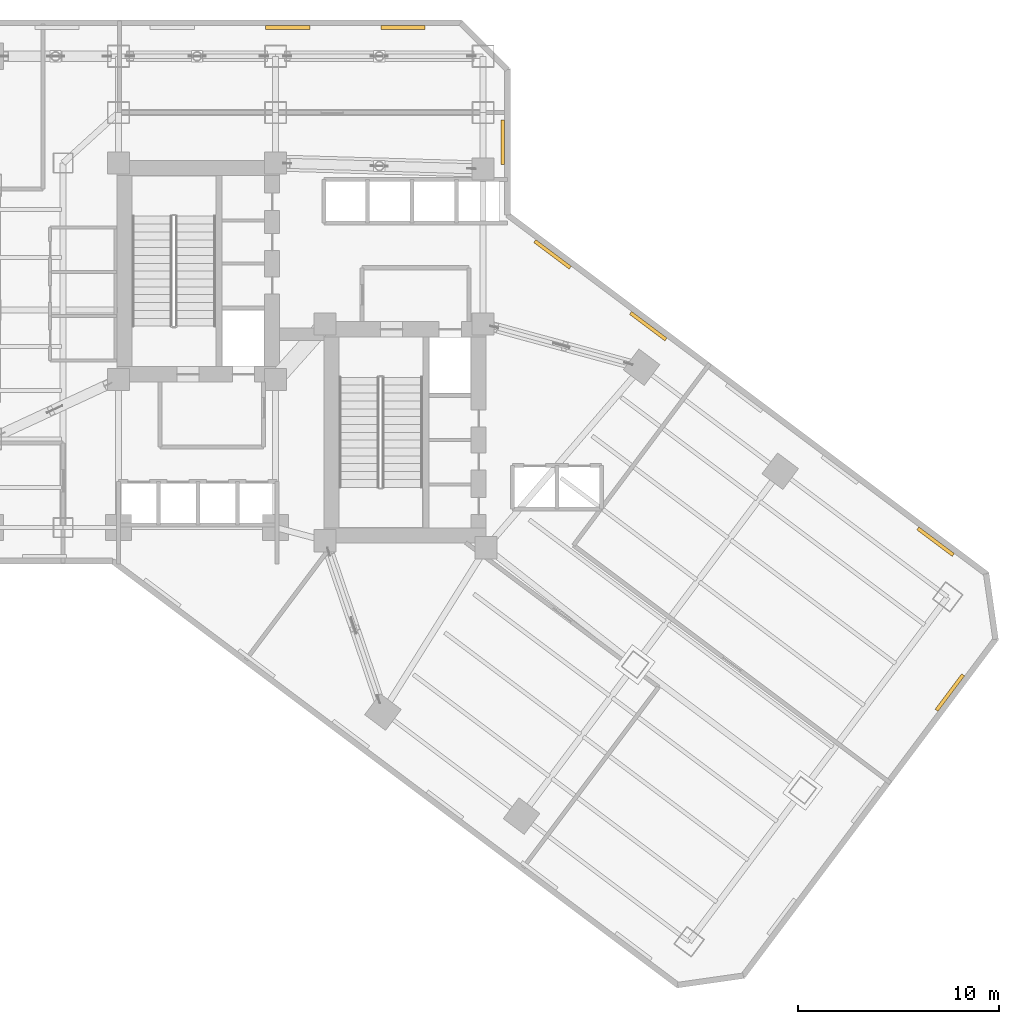
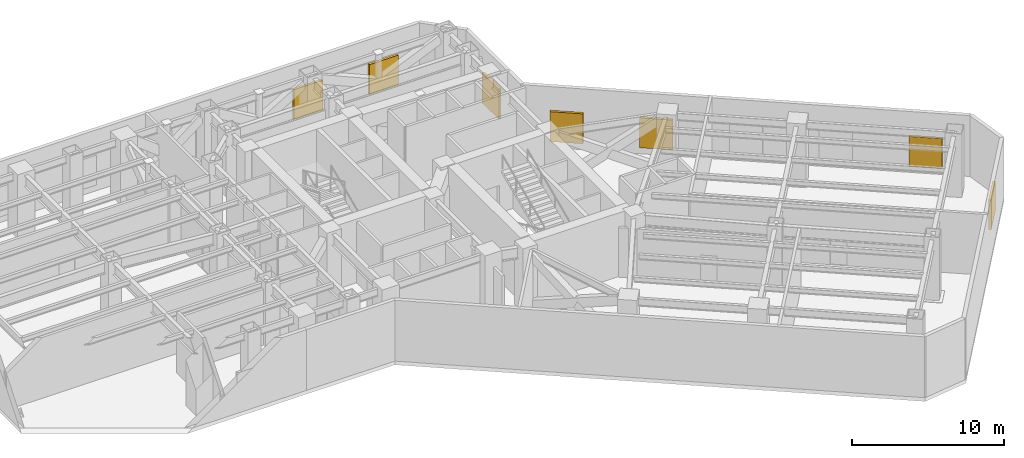
# One storey, part 16 of 16: 7 shading devices.
"""IFC4 building model written with IfcOpenShell, lengths in metres."""

from ifc_helpers import new_model, si_unit, direction, frame, origin, origin_2d, place, context, subcontext, project, spatial, rectangle, extrude, material, layer, layer_set, type_object, element, save


model = new_model("IFC4")

# Units and contexts
model_context = context("Model", 3, precision=1e-05, world=origin(), true_north=direction((0.0, 1.0)))
body_context = subcontext(model_context, "Body", "Model", "MODEL_VIEW")
ifc_project = project(units=[si_unit("LENGTHUNIT", "METRE"), si_unit("AREAUNIT", "SQUARE_METRE"), si_unit("VOLUMEUNIT", "CUBIC_METRE"), si_unit("PLANEANGLEUNIT", "RADIAN"), si_unit("MASSUNIT", "GRAM", prefix="KILO")], contexts=[model_context])

# Site, building, storey
site_placement = place(None, origin())
site = spatial("IfcSite", under=ifc_project, at=site_placement, CompositionType="ELEMENT")
building_placement = place(site_placement, origin())
building = spatial("IfcBuilding", under=site, at=building_placement, Name="Hatsunagi Terrace Concourse", CompositionType="ELEMENT")
storey_placement = place(building_placement, frame((0.0, 0.0, 27.0)))
storey = spatial("IfcBuildingStorey", under=building, at=storey_placement, Name="L06", CompositionType="ELEMENT", Elevation=27.0)

# Shading devices
ifc_material = material(Name="Powder-Coated Aluminium Acoustic Louvre", Category="aluminium")
ifc_layer = layer(ifc_material, 0.179931640625)
ifc_layer_set = layer_set([ifc_layer], Name="PlantAcousticLouvre_180")
shading_device_type = type_object("IfcShadingDeviceType", Name="PlantAcousticLouvre_180", PredefinedType="JALOUSIE", material=ifc_layer_set)
for number, where, z_axis, x_axis, name in (
    (1, (47.09912109375, 38.762939453125, 0.60009765625), (0.0, 0.0, 1.0), (0.80000835285, -0.599988862705, 0.0), "Plant Acoustic Louvre L06-01-1"),
    (2, (51.85302734375, 35.197998046875, 0.60009765625), (0.0, 0.0, 1.0), (0.80000835285, -0.599988862705, 0.0), "Plant Acoustic Louvre L06-01-2"),
    (3, (66.114990234375, 24.501953125, 0.60009765625), (0.0, 0.0, 1.0), (0.80000835285, -0.599988862705, 0.0), "Plant Acoustic Louvre L06-01-5"),
    (4, (66.821044921875, 17.010986328125, 0.60009765625), (0.0, 0.0, 1.0), (-0.599969314634, -0.800023013105, 0.0), "Plant Acoustic Louvre L06-03-1"),
    (5, (33.952880859375, 50.030029296875, 0.60009765625), (0.0, 0.0, 1.0), (1.0, 0.0, 0.0), "Plant Acoustic Louvre L06-11-6"),
    (6, (39.678955078125, 50.030029296875, 0.60009765625), (0.0, 0.0, 1.0), (1.0, 0.0, 0.0), "Plant Acoustic Louvre L06-11-7"),
    (7, (44.6298828125, 44.3359375, 0.60009765625), (0.0, 0.0, 1.0), (0.0, -1.0, 0.0), "Plant Acoustic Louvre L06-13-1"),
):
    element("IfcShadingDevice", number, at=place(storey_placement, frame(where, z_axis=z_axis, x_axis=x_axis)), inside=storey, type_object=shading_device_type, Name=name, PredefinedType="JALOUSIE", context=body_context, shape_type="SweptSolid", body=[
        extrude(rectangle(XDim=2.199951171875, YDim=0.179931640625, at=origin_2d()), origin(), (0.0, 0.0, 1.0), 2.39990234375),
    ])

save(model, "model.ifc")
